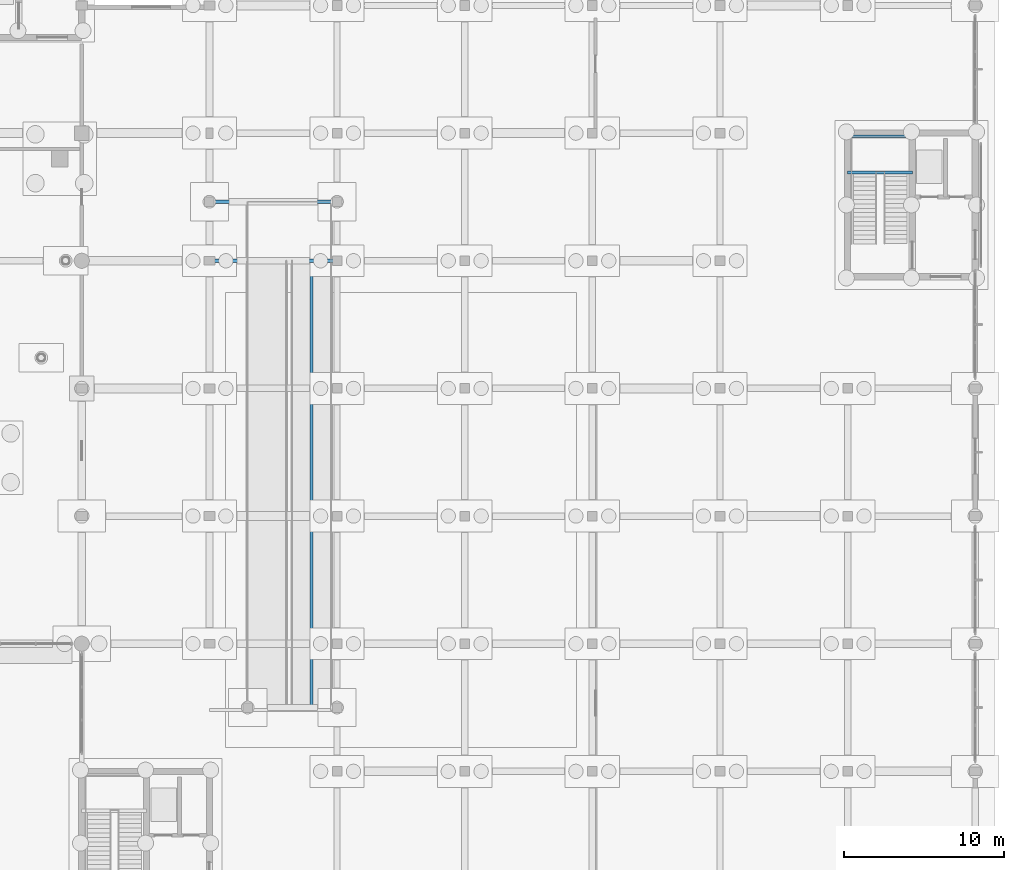
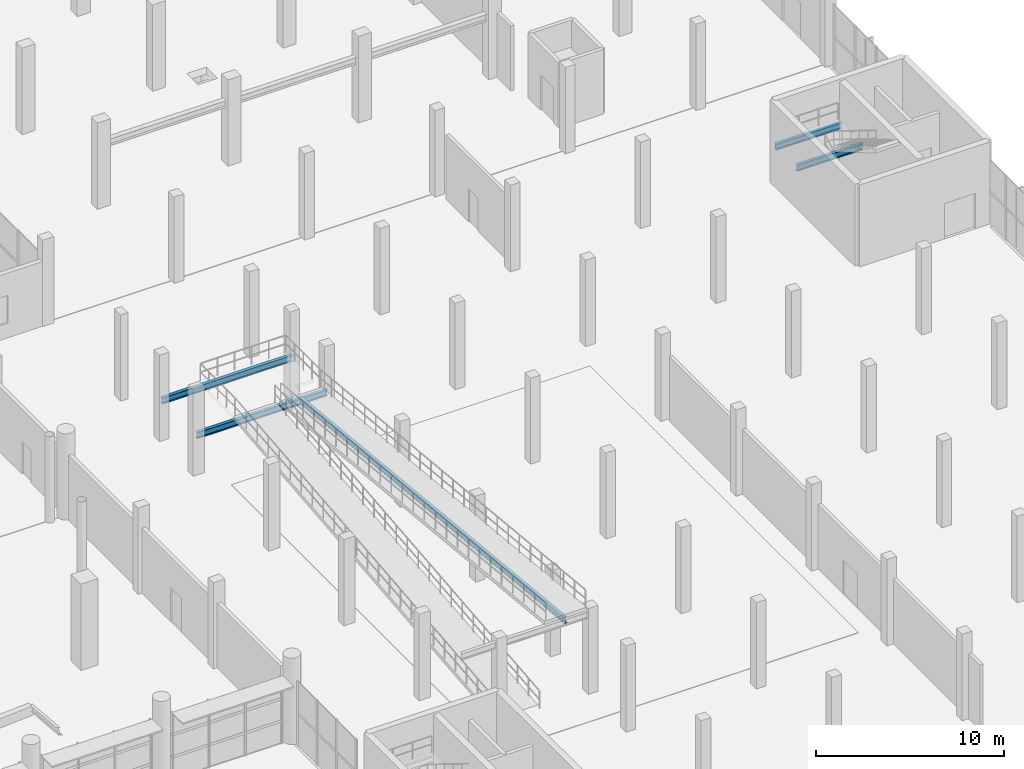
# One storey, part 50 of 98: 5 beams.
"""IFC4 building model written with IfcOpenShell, lengths in metres."""

from ifc_helpers import new_model, si_unit, derived_unit, direction, frame, origin, origin_2d, place, context, subcontext, project, spatial, i_section, extrude, material, material_profile, profile_set, type_object, element, save


model = new_model("IFC4")

# Units and contexts
model_context = context("Model", 3, precision=1e-05, world=origin(), true_north=direction((0.0, 1.0)))
body_context = subcontext(model_context, "Body", "Model", "MODEL_VIEW")
ifc_project = project(units=[si_unit("LENGTHUNIT", "METRE"), si_unit("AREAUNIT", "SQUARE_METRE"), si_unit("VOLUMEUNIT", "CUBIC_METRE"), si_unit("PLANEANGLEUNIT", "RADIAN"), si_unit("MASSUNIT", "GRAM", prefix="KILO"), si_unit("THERMODYNAMICTEMPERATUREUNIT", "KELVIN"), derived_unit("THERMALTRANSMITTANCEUNIT", [(si_unit("POWERUNIT", "WATT"), 1), (si_unit("AREAUNIT", "SQUARE_METRE"), -1), (si_unit("THERMODYNAMICTEMPERATUREUNIT", "KELVIN"), -1)])], contexts=[model_context])

# Site, building, storey
site_placement = place(None, origin())
site = spatial("IfcSite", under=ifc_project, at=site_placement, CompositionType="ELEMENT")
building_placement = place(site_placement, origin())
building = spatial("IfcBuilding", under=site, at=building_placement, Name="Haiyu Intermodal Mobility Hub", CompositionType="ELEMENT")
storey_placement = place(building_placement, origin())
storey = spatial("IfcBuildingStorey", under=building, at=storey_placement, Name="L00", CompositionType="ELEMENT", Elevation=0.0)

# Beams
ifc_material = material(Name="Steel Q355C", Category="steel")
ifc_material_profile = material_profile(ifc_material, i_section(OverallWidth=0.199951171875, OverallDepth=0.39990234375, WebThickness=0.008056640625, FlangeThickness=0.012939453125, FilletRadius=0.01611328125, at=origin_2d()), Name="HN400x200x8x13")
ifc_profile_set = profile_set([ifc_material_profile], Name="Steel Q355C")
beam_type = type_object("IfcBeamType", Name="BM-SB08", PredefinedType="JOIST", material=ifc_profile_set)
for number, where, z_axis, x_axis, name in (
    (1, (162.0, 64.0, 2.389892578125), (1.0, 0.0, 0.0), (0.0, 1.0, 0.0), "BM-BRMP1-L00"),
    (2, (162.0, 67.699951171875, 2.389892578125), (1.0, 0.0, 0.0), (0.0, 1.0, 0.0), "BM-BRMP2-L00"),
):
    element("IfcBeam", number, at=place(storey_placement, frame(where, z_axis=z_axis, x_axis=x_axis)), inside=storey, type_object=beam_type, Name=name, PredefinedType="JOIST", context=body_context, shape_type="SweptSolid", body=[
        extrude(i_section(OverallWidth=0.199951171875, OverallDepth=0.39990234375, WebThickness=0.008056640625, FlangeThickness=0.012939453125, FilletRadius=0.01611328125, at=origin_2d()), origin(), (0.0, 0.0, 1.0), 8.0),
    ])
beam_placement = place(storey_placement, frame((168.39990234375, 64.0, 2.419921875), z_axis=(0.0, -0.995089347205, 0.098980761158), x_axis=(1.0, 0.0, 0.0)))
element("IfcBeam", 3, at=beam_placement, inside=storey, type_object=beam_type, Name="BM-BRMPS-L00", PredefinedType="JOIST", context=body_context, shape_type="SweptSolid", body=[
    extrude(i_section(OverallWidth=0.199951171875, OverallDepth=0.39990234375, WebThickness=0.008056640625, FlangeThickness=0.012939453125, FilletRadius=0.01611328125, at=origin_2d()), origin(), (0.0, 0.0, 1.0), 28.288818359375),
])
for number, where, z_axis, x_axis, name in (
    (4, (202.0, 69.530029296875, 2.375), (1.0, 0.0, 0.0), (0.0, 1.0, 0.0), "Stair Half-Landing Front Beam C9-L00"),
    (5, (202.0, 71.780029296875, 2.375), (1.0, 0.0, 0.0), (0.0, 1.0, 0.0), "Stair Half-Landing Rear Beam C9-L00"),
):
    element("IfcBeam", number, at=place(storey_placement, frame(where, z_axis=z_axis, x_axis=x_axis)), inside=storey, type_object=beam_type, Name=name, PredefinedType="JOIST", context=body_context, shape_type="SweptSolid", body=[
        extrude(i_section(OverallWidth=0.199951171875, OverallDepth=0.39990234375, WebThickness=0.008056640625, FlangeThickness=0.012939453125, FilletRadius=0.01611328125, at=origin_2d()), origin(), (0.0, 0.0, 1.0), 4.050048828125),
    ])

save(model, "model.ifc")
